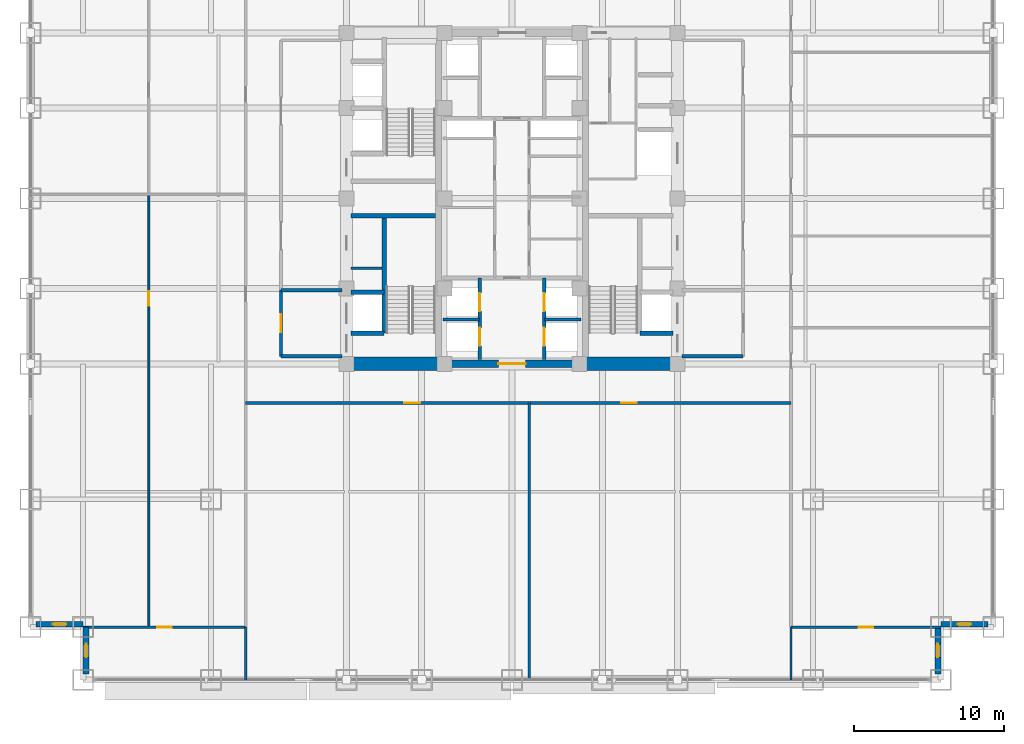
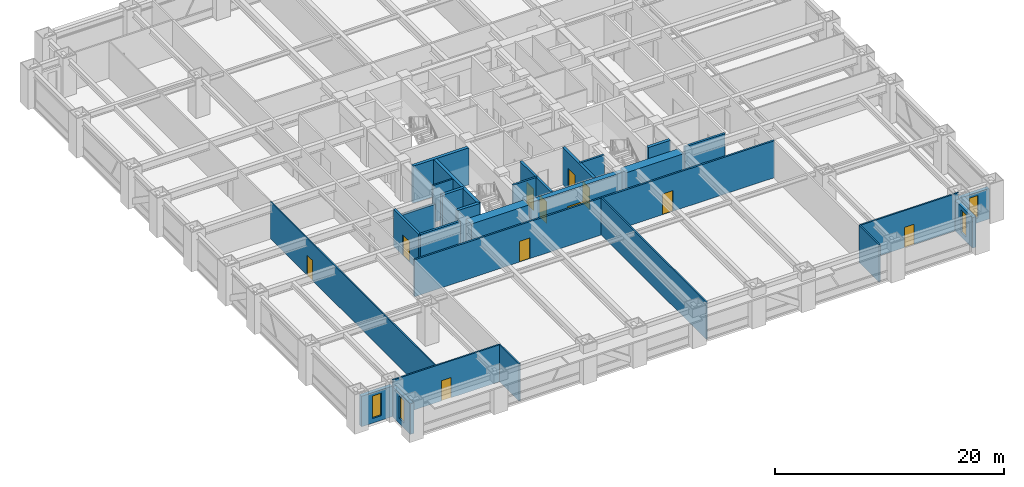
# One storey, part 23 of 32: 28 walls, 11 doors, 4 windows, 15 openings.
"""IFC4 building model written with IfcOpenShell, lengths in metres."""

from ifc_helpers import new_model, si_unit, direction, frame, frame_2d, origin, place, context, subcontext, project, spatial, rectangle, extrude, source, transform, mapped, material, layer, layer_set, type_object, element, fill, save


model = new_model("IFC4")

# Units and contexts
model_context = context("Model", 3, precision=1e-05, world=origin(), true_north=direction((0.0, 1.0)))
body_context = subcontext(model_context, "Body", "Model", "MODEL_VIEW")
ifc_project = project(units=[si_unit("LENGTHUNIT", "METRE"), si_unit("AREAUNIT", "SQUARE_METRE"), si_unit("VOLUMEUNIT", "CUBIC_METRE"), si_unit("PLANEANGLEUNIT", "RADIAN"), si_unit("MASSUNIT", "GRAM", prefix="KILO")], contexts=[model_context])

# Site, building, storey
site_placement = place(None, origin())
site = spatial("IfcSite", under=ifc_project, at=site_placement, CompositionType="ELEMENT")
building_placement = place(site_placement, origin())
building = spatial("IfcBuilding", under=site, at=building_placement, Name="Khorayat Bourse Tower", CompositionType="ELEMENT")
storey_placement = place(building_placement, frame((0.0, 0.0, 70.39990234375)))
storey = spatial("IfcBuildingStorey", under=building, at=storey_placement, Name="L15", CompositionType="ELEMENT", Elevation=70.39990234375)

# Walls
ifc_material_1 = material(Name="Concrete C72/90", Category="concrete")
ifc_layer_1 = layer(ifc_material_1, 0.89990234375)
ifc_layer_set_1 = layer_set([ifc_layer_1], Name="Concrete C72/90")
wall_type_1 = type_object("IfcWallType", Name="WAL-CORE-900", PredefinedType="SHEAR", material=ifc_layer_set_1)
shared_shape_1 = source(origin(), body_context, "Body", "SweptSolid", [
    extrude(rectangle(XDim=5.849853515625, YDim=0.89990234375, at=frame_2d((2.9248046875, 0.0))), origin(), (0.0, 0.0, 1.0), 3.940185546875),
])
for number, where, z_axis, x_axis, name in (
    (1, (-10.699951171875, -11.0, 0.0), (0.0, 0.0, 1.0), (1.0, 0.0, 0.0), "L15 Core Shear Wall PIER-WS"),
    (2, (4.85009765625, -11.0, 0.0), (0.0, 0.0, 1.0), (1.0, 0.0, 0.0), "L15 Core Shear Wall PIER-ES"),
):
    element("IfcWall", number, at=place(storey_placement, frame(where, z_axis=z_axis, x_axis=x_axis)), inside=storey, type_object=wall_type_1, Name=name, PredefinedType="SHEAR", context=body_context, shape_type="MappedRepresentation", body=[
        mapped(shared_shape_1, transform((0.0, 0.0, 0.0), scale=1.0)),
    ])
ifc_material_2 = material(Name="Concrete C50/60", Category="concrete")
ifc_layer_2 = layer(ifc_material_2, 0.300048828125)
ifc_layer_set_2 = layer_set([ifc_layer_2], Name="Concrete C50/60")
wall_type_2 = type_object("IfcWallType", Name="WAL-SHAFT-300", PredefinedType="SHEAR", material=ifc_layer_set_2)
shared_shape_2 = source(origin(), body_context, "Body", "SweptSolid", [
    extrude(rectangle(XDim=5.599853515625, YDim=0.300048828125, at=frame_2d((2.7998046875, 0.0))), origin(), (0.0, 0.0, 1.0), 3.940185546875),
])
wall_1_placement = place(storey_placement, frame((-10.699951171875, -1.14990234375, 0.0), z_axis=(0.0, 0.0, 1.0), x_axis=(1.0, 0.0, 0.0)))
element("IfcWall", 3, at=wall_1_placement, inside=storey, type_object=wall_type_2, Name="L15 Core Shear Wall ST1-DIV", PredefinedType="SHEAR", context=body_context, shape_type="MappedRepresentation", body=[
    mapped(shared_shape_2, transform((0.0, 0.0, 0.0), scale=1.0)),
])

# Wall, opening, door
ifc_material_3 = material(Name="Concrete C52/65", Category="concrete")
ifc_layer_3 = layer(ifc_material_3, 0.5)
ifc_layer_set_3 = layer_set([ifc_layer_3], Name="Concrete C52/65")
wall_type_3 = type_object("IfcWallType", Name="WAL-CORE-500", PredefinedType="SHEAR", material=ifc_layer_set_3)
shared_shape_3 = source(origin(), body_context, "Body", "SweptSolid", [
    extrude(rectangle(XDim=9.2001953125, YDim=0.5, at=frame_2d((4.60009765625, 0.0))), origin(), (0.0, 0.0, 1.0), 3.940185546875),
])
wall_2_placement = place(storey_placement, frame((-4.60009765625, -11.0, 0.0), z_axis=(0.0, 0.0, 1.0), x_axis=(1.0, 0.0, 0.0)))
wall_2 = element("IfcWall", 4, at=wall_2_placement, inside=storey, type_object=wall_type_3, Name="L15 Core Shear Wall CORE-S", PredefinedType="SHEAR", context=body_context, shape_type="MappedRepresentation", body=[
    mapped(shared_shape_3, transform((0.0, 0.0, 0.0), scale=1.0)),
])
shared_shape_4 = source(origin(), body_context, "Body", "SweptSolid", [
    extrude(rectangle(XDim=1.800048828125, YDim=2.25, at=frame_2d((0.89990234375, 1.125))), frame((0.0, 0.260009765625, 0.0), z_axis=(0.0, -1.0, 0.0), x_axis=(1.0, 0.0, 0.0)), (0.0, 0.0, 1.0), 0.52001953125),
])
opening_1_placement = place(wall_2_placement, frame((3.699951171875, 0.0, 0.0)))
opening_1 = element("IfcOpeningElement", 5, at=opening_1_placement, cuts=wall_2, Name="Opening DI-03", PredefinedType="OPENING", context=body_context, shape_type="MappedRepresentation", body=[
    mapped(shared_shape_4, transform((0.0, 0.0, 0.0), scale=1.0)),
])
ifc_material_4 = material(Name="Fire-rated hardwood vision-panel double leaf", Category="wood")
door_type_1 = type_object("IfcDoorType", Name="DR-INT-CORR-1800", OperationType="NOTDEFINED", PredefinedType="DOOR", material=ifc_material_4)
shared_shape_5 = source(origin(), body_context, "Body", "SweptSolid", [
    extrude(rectangle(XDim=1.800048828125, YDim=2.25, at=frame_2d((0.89990234375, 1.125))), frame((0.0, 0.02490234375, 0.0), z_axis=(0.0, -1.0, 0.0), x_axis=(1.0, 0.0, 0.0)), (0.0, 0.0, 1.0), 0.050048828125),
])
door_1_placement = place(opening_1_placement, origin())
door_1 = element("IfcDoor", 6, at=door_1_placement, inside=storey, type_object=door_type_1, Name="L15 Low-Rise Lift Lobby Door", OperationType="SINGLE_SWING_LEFT", OverallHeight=2.25, OverallWidth=1.800048828125, PredefinedType="DOOR", context=body_context, shape_type="MappedRepresentation", body=[
    mapped(shared_shape_5, transform((0.0, 0.0, 0.0), scale=1.0)),
])
fill(opening_1, door_1)

# Wall, opening, window
ifc_material_5 = material(Name="Precast concrete C45/55", Category="concrete")
ifc_layer_4 = layer(ifc_material_5, 0.3798828125)
ifc_layer_set_4 = layer_set([ifc_layer_4], Name="Precast concrete C45/55")
wall_type_4 = type_object("IfcWallType", Name="WAL-EXT-STONE-380", PredefinedType="STANDARD", material=ifc_layer_set_4)
shared_shape_6 = source(origin(), body_context, "Body", "SweptSolid", [
    extrude(rectangle(XDim=3.1201171875, YDim=0.3798828125, at=frame_2d((1.56005859375, 0.0))), origin(), (0.0, 0.0, 1.0), 3.2451171875),
])
wall_3_placement = place(storey_placement, frame((-28.5, -28.31005859375, 0.0), z_axis=(0.0, 0.0, 1.0), x_axis=(-1.0, 0.0, 0.0)))
wall_3 = element("IfcWall", 7, at=wall_3_placement, inside=storey, type_object=wall_type_4, Name="L15 Re-Entrant Notch Limestone Wall SW-H", PredefinedType="STANDARD", context=body_context, shape_type="MappedRepresentation", body=[
    mapped(shared_shape_6, transform((0.0, 0.0, 0.0), scale=1.0)),
])
shared_shape_7 = source(origin(), body_context, "Body", "SweptSolid", [
    extrude(rectangle(XDim=0.89990234375, YDim=2.39990234375, at=frame_2d((0.449951171875, 1.199951171875))), frame((0.0, 0.199951171875, 0.0), z_axis=(0.0, -1.0, 0.0), x_axis=(1.0, 0.0, 0.0)), (0.0, 0.0, 1.0), 0.39990234375),
])
opening_2_placement = place(wall_3_placement, frame((1.110107421875, 0.0, 0.5)))
opening_2 = element("IfcOpeningElement", 8, at=opening_2_placement, cuts=wall_3, Name="Opening WN-03", PredefinedType="OPENING", context=body_context, shape_type="MappedRepresentation", body=[
    mapped(shared_shape_7, transform((0.0, 0.0, 0.0), scale=1.0)),
])
ifc_material_6 = material(Name="Deep-reveal solar-control double glazing", Category="glass")
window_type = type_object("IfcWindowType", Name="WIN-SLOT-900x2400", PartitioningType="SINGLE_PANEL", PredefinedType="WINDOW", material=ifc_material_6)
shared_shape_8 = source(origin(), body_context, "Body", "SweptSolid", [
    extrude(rectangle(XDim=0.89990234375, YDim=2.39990234375, at=frame_2d((0.449951171875, 1.199951171875))), frame((0.0, 0.030029296875, 0.0), z_axis=(0.0, -1.0, 0.0), x_axis=(1.0, 0.0, 0.0)), (0.0, 0.0, 1.0), 0.06005859375),
])
window_1_placement = place(opening_2_placement, origin())
window_1 = element("IfcWindow", 9, at=window_1_placement, inside=storey, type_object=window_type, Name="L15 Facade Window 1", OverallHeight=2.39990234375, OverallWidth=0.89990234375, PartitioningType="SINGLE_PANEL", PredefinedType="WINDOW", context=body_context, shape_type="MappedRepresentation", body=[
    mapped(shared_shape_8, transform((0.0, 0.0, 0.0), scale=1.0)),
])
fill(opening_2, window_1)

wall_4_placement = place(storey_placement, frame((-28.31005859375, -31.6201171875, 0.0), z_axis=(0.0, 0.0, 1.0), x_axis=(0.0, 1.0, 0.0)))
wall_4 = element("IfcWall", 10, at=wall_4_placement, inside=storey, type_object=wall_type_4, Name="L15 Re-Entrant Notch Limestone Wall SW-V", PredefinedType="STANDARD", context=body_context, shape_type="MappedRepresentation", body=[
    mapped(shared_shape_6, transform((0.0, 0.0, 0.0), scale=1.0)),
])
opening_3_placement = place(wall_4_placement, frame((1.110107421875, 0.0, 0.5)))
opening_3 = element("IfcOpeningElement", 11, at=opening_3_placement, cuts=wall_4, Name="Opening WN-03", PredefinedType="OPENING", context=body_context, shape_type="MappedRepresentation", body=[
    mapped(shared_shape_7, transform((0.0, 0.0, 0.0), scale=1.0)),
])
window_2_placement = place(opening_3_placement, origin())
window_2 = element("IfcWindow", 12, at=window_2_placement, inside=storey, type_object=window_type, Name="L15 Facade Window 1", OverallHeight=2.39990234375, OverallWidth=0.89990234375, PartitioningType="SINGLE_PANEL", PredefinedType="WINDOW", context=body_context, shape_type="MappedRepresentation", body=[
    mapped(shared_shape_8, transform((0.0, 0.0, 0.0), scale=1.0)),
])
fill(opening_3, window_2)

wall_5_placement = place(storey_placement, frame((28.31005859375, -31.6201171875, 0.0), z_axis=(0.0, 0.0, 1.0), x_axis=(0.0, 1.0, 0.0)))
wall_5 = element("IfcWall", 13, at=wall_5_placement, inside=storey, type_object=wall_type_4, Name="L15 Re-Entrant Notch Limestone Wall SE-V", PredefinedType="STANDARD", context=body_context, shape_type="MappedRepresentation", body=[
    mapped(shared_shape_6, transform((0.0, 0.0, 0.0), scale=1.0)),
])
opening_4_placement = place(wall_5_placement, frame((1.110107421875, 0.0, 0.5)))
opening_4 = element("IfcOpeningElement", 14, at=opening_4_placement, cuts=wall_5, Name="Opening WN-03", PredefinedType="OPENING", context=body_context, shape_type="MappedRepresentation", body=[
    mapped(shared_shape_7, transform((0.0, 0.0, 0.0), scale=1.0)),
])
window_3_placement = place(opening_4_placement, origin())
window_3 = element("IfcWindow", 15, at=window_3_placement, inside=storey, type_object=window_type, Name="L15 Facade Window 1", OverallHeight=2.39990234375, OverallWidth=0.89990234375, PartitioningType="SINGLE_PANEL", PredefinedType="WINDOW", context=body_context, shape_type="MappedRepresentation", body=[
    mapped(shared_shape_8, transform((0.0, 0.0, 0.0), scale=1.0)),
])
fill(opening_4, window_3)

wall_6_placement = place(storey_placement, frame((28.5, -28.31005859375, 0.0), z_axis=(0.0, 0.0, 1.0), x_axis=(1.0, 0.0, 0.0)))
wall_6 = element("IfcWall", 16, at=wall_6_placement, inside=storey, type_object=wall_type_4, Name="L15 Re-Entrant Notch Limestone Wall SE-H", PredefinedType="STANDARD", context=body_context, shape_type="MappedRepresentation", body=[
    mapped(shared_shape_6, transform((0.0, 0.0, 0.0), scale=1.0)),
])
opening_5_placement = place(wall_6_placement, frame((1.110107421875, 0.0, 0.5)))
opening_5 = element("IfcOpeningElement", 17, at=opening_5_placement, cuts=wall_6, Name="Opening WN-03", PredefinedType="OPENING", context=body_context, shape_type="MappedRepresentation", body=[
    mapped(shared_shape_7, transform((0.0, 0.0, 0.0), scale=1.0)),
])
window_4_placement = place(opening_5_placement, origin())
window_4 = element("IfcWindow", 18, at=window_4_placement, inside=storey, type_object=window_type, Name="L15 Facade Window 1", OverallHeight=2.39990234375, OverallWidth=0.89990234375, PartitioningType="SINGLE_PANEL", PredefinedType="WINDOW", context=body_context, shape_type="MappedRepresentation", body=[
    mapped(shared_shape_8, transform((0.0, 0.0, 0.0), scale=1.0)),
])
fill(opening_5, window_4)

# Walls
shared_shape_9 = source(origin(), body_context, "Body", "SweptSolid", [
    extrude(rectangle(XDim=7.800048828125, YDim=0.300048828125, at=frame_2d((3.89990234375, 0.0))), origin(), (0.0, 0.0, 1.0), 3.940185546875),
])
wall_7_placement = place(storey_placement, frame((-8.5, -8.949951171875, 0.0), z_axis=(0.0, 0.0, 1.0), x_axis=(0.0, 1.0, 0.0)))
element("IfcWall", 19, at=wall_7_placement, inside=storey, type_object=wall_type_2, Name="L15 Partition WAL-L15-WPIER-SP", PredefinedType="SHEAR", context=body_context, shape_type="MappedRepresentation", body=[
    mapped(shared_shape_9, transform((0.0, 0.0, 0.0), scale=1.0)),
])
shared_shape_10 = source(origin(), body_context, "Body", "SweptSolid", [
    extrude(rectangle(XDim=2.199951171875, YDim=0.300048828125, at=frame_2d((1.10009765625, 0.0))), origin(), (0.0, 0.0, 1.0), 3.940185546875),
])
for number, where, z_axis, x_axis, name in (
    (20, (-10.699951171875, -8.949951171875, 0.0), (0.0, 0.0, 1.0), (1.0, 0.0, 0.0), "L15 Partition WAL-L15-WPIER-FF1S"),
    (21, (-10.699951171875, -6.25, 0.0), (0.0, 0.0, 1.0), (1.0, 0.0, 0.0), "L15 Partition WAL-L15-WPIER-FF1N"),
    (22, (8.5, -8.949951171875, 0.0), (0.0, 0.0, 1.0), (1.0, 0.0, 0.0), "L15 Partition WAL-L15-EPIER-FF2S"),
):
    element("IfcWall", number, at=place(storey_placement, frame(where, z_axis=z_axis, x_axis=x_axis)), inside=storey, type_object=wall_type_2, Name=name, PredefinedType="SHEAR", context=body_context, shape_type="MappedRepresentation", body=[
        mapped(shared_shape_10, transform((0.0, 0.0, 0.0), scale=1.0)),
    ])
ifc_material_7 = material(Name="Gypsum plasterboard twin-frame partition")
ifc_layer_5 = layer(ifc_material_7, 0.14990234375)
ifc_layer_set_5 = layer_set([ifc_layer_5], Name="Gypsum plasterboard twin-frame partition")
wall_type_5 = type_object("IfcWallType", Name="WAL-PART-SUITE-150", PredefinedType="PARTITIONING", material=ifc_layer_set_5)
shared_shape_11 = source(origin(), body_context, "Body", "SweptSolid", [
    extrude(rectangle(XDim=2.050048828125, YDim=0.14990234375, at=frame_2d((1.02490234375, 0.0))), origin(), (0.0, 0.0, 1.0), 3.940185546875),
])
wall_8_placement = place(storey_placement, frame((-10.699951171875, -4.64990234375, 0.0), z_axis=(0.0, 0.0, 1.0), x_axis=(1.0, 0.0, 0.0)))
element("IfcWall", 23, at=wall_8_placement, inside=storey, type_object=wall_type_5, Name="L15 Partition WAL-L15-WSRV-S0", PredefinedType="PARTITIONING", context=body_context, shape_type="MappedRepresentation", body=[
    mapped(shared_shape_11, transform((0.0, 0.0, 0.0), scale=1.0)),
])
ifc_material_8 = material(Name="Aerated concrete blockwork", Category="masonry")
ifc_layer_6 = layer(ifc_material_8, 0.219970703125)
ifc_layer_set_6 = layer_set([ifc_layer_6], Name="Aerated concrete blockwork")
wall_type_6 = type_object("IfcWallType", Name="WAL-PART-FF-220", PredefinedType="PARTITIONING", material=ifc_layer_set_6)
shared_shape_12 = source(origin(), body_context, "Body", "SweptSolid", [
    extrude(rectangle(XDim=4.050048828125, YDim=0.219970703125, at=frame_2d((2.02490234375, 0.0))), origin(), (0.0, 0.0, 1.0), 3.940185546875),
])
for number, where, z_axis, x_axis, name in (
    (24, (-15.35009765625, -10.5, 0.0), (0.0, 0.0, 1.0), (1.0, 0.0, 0.0), "L15 Partition WAL-L15-FFLW-S"),
    (25, (11.300048828125, -10.5, 0.0), (0.0, 0.0, 1.0), (1.0, 0.0, 0.0), "L15 Partition WAL-L15-FFLE-S"),
):
    element("IfcWall", number, at=place(storey_placement, frame(where, z_axis=z_axis, x_axis=x_axis)), inside=storey, type_object=wall_type_6, Name=name, PredefinedType="PARTITIONING", context=body_context, shape_type="MappedRepresentation", body=[
        mapped(shared_shape_12, transform((0.0, 0.0, 0.0), scale=1.0)),
    ])
shared_shape_13 = source(origin(), body_context, "Body", "SweptSolid", [
    extrude(rectangle(XDim=4.050048828125, YDim=0.219970703125, at=frame_2d((2.02490234375, 0.0))), origin(), (0.0, 0.0, 1.0), 3.085205078125),
])
wall_9_placement = place(storey_placement, frame((-15.35009765625, -6.10009765625, 0.0), z_axis=(0.0, 0.0, 1.0), x_axis=(1.0, 0.0, 0.0)))
element("IfcWall", 26, at=wall_9_placement, inside=storey, type_object=wall_type_6, Name="L15 Partition WAL-L15-FFLW-N", PredefinedType="PARTITIONING", context=body_context, shape_type="MappedRepresentation", body=[
    mapped(shared_shape_13, transform((0.0, 0.0, 0.0), scale=1.0)),
])

# Wall, opening, door
shared_shape_14 = source(origin(), body_context, "Body", "SweptSolid", [
    extrude(rectangle(XDim=4.39990234375, YDim=0.219970703125, at=frame_2d((2.199951171875, 0.0))), origin(), (0.0, 0.0, 1.0), 3.940185546875),
])
wall_10_placement = place(storey_placement, frame((-15.35009765625, -10.5, 0.0), z_axis=(0.0, 0.0, 1.0), x_axis=(0.0, 1.0, 0.0)))
wall_10 = element("IfcWall", 27, at=wall_10_placement, inside=storey, type_object=wall_type_6, Name="L15 Partition WAL-L15-FFLW-W", PredefinedType="PARTITIONING", context=body_context, shape_type="MappedRepresentation", body=[
    mapped(shared_shape_14, transform((0.0, 0.0, 0.0), scale=1.0)),
])
shared_shape_15 = source(origin(), body_context, "Body", "SweptSolid", [
    extrude(rectangle(XDim=1.199951171875, YDim=2.199951171875, at=frame_2d((0.60009765625, 1.10009765625))), frame((0.0, 0.119873046875, 0.0), z_axis=(0.0, -1.0, 0.0), x_axis=(1.0, 0.0, 0.0)), (0.0, 0.0, 1.0), 0.239990234375),
])
opening_6_placement = place(wall_10_placement, frame((1.60009765625, 0.0, 0.0)))
opening_6 = element("IfcOpeningElement", 28, at=opening_6_placement, cuts=wall_10, Name="Opening DI-02", PredefinedType="OPENING", context=body_context, shape_type="MappedRepresentation", body=[
    mapped(shared_shape_15, transform((0.0, 0.0, 0.0), scale=1.0)),
])
ifc_material_9 = material(Name="Fire-rated steel double-seal leaf", Category="steel")
door_type_2 = type_object("IfcDoorType", Name="DR-INT-FFLOBBY-1200", OperationType="NOTDEFINED", PredefinedType="DOOR", material=ifc_material_9)
shared_shape_16 = source(origin(), body_context, "Body", "SweptSolid", [
    extrude(rectangle(XDim=1.199951171875, YDim=2.199951171875, at=frame_2d((0.60009765625, 1.10009765625))), frame((0.0, 0.02490234375, 0.0), z_axis=(0.0, -1.0, 0.0), x_axis=(1.0, 0.0, 0.0)), (0.0, 0.0, 1.0), 0.050048828125),
])
door_2_placement = place(opening_6_placement, origin())
door_2 = element("IfcDoor", 29, at=door_2_placement, inside=storey, type_object=door_type_2, Name="L15 West Firefighting Lobby Door", OperationType="SINGLE_SWING_LEFT", OverallHeight=2.199951171875, OverallWidth=1.199951171875, PredefinedType="DOOR", context=body_context, shape_type="MappedRepresentation", body=[
    mapped(shared_shape_16, transform((0.0, 0.0, 0.0), scale=1.0)),
])
fill(opening_6, door_2)

# Wall, openings, doors
shared_shape_17 = source(origin(), body_context, "Body", "SweptSolid", [
    extrude(rectangle(XDim=5.39990234375, YDim=0.25, at=frame_2d((2.699951171875, 0.0))), origin(), (0.0, 0.0, 1.0), 3.940185546875),
])
wall_11_placement = place(storey_placement, frame((-2.14990234375, -10.699951171875, 0.0), z_axis=(0.0, 0.0, 1.0), x_axis=(0.0, 1.0, 0.0)))
wall_11 = element("IfcWall", 30, at=wall_11_placement, inside=storey, type_object=wall_type_2, Name="L15 Partition WAL-L15-B1-W", PredefinedType="SHEAR", context=body_context, shape_type="MappedRepresentation", body=[
    mapped(shared_shape_17, transform((0.0, 0.0, 0.0), scale=1.0)),
])
shared_shape_18 = source(origin(), body_context, "Body", "SweptSolid", [
    extrude(rectangle(XDim=1.199951171875, YDim=2.300048828125, at=frame_2d((0.60009765625, 1.14990234375))), frame((0.0, 0.135009765625, 0.0), z_axis=(0.0, -1.0, 0.0), x_axis=(1.0, 0.0, 0.0)), (0.0, 0.0, 1.0), 0.27001953125),
])
opening_7_placement = place(wall_11_placement, frame((0.89990234375, 0.0, 0.0)))
opening_7 = element("IfcOpeningElement", 31, at=opening_7_placement, cuts=wall_11, Name="Opening LD-01", PredefinedType="OPENING", context=body_context, shape_type="MappedRepresentation", body=[
    mapped(shared_shape_18, transform((0.0, 0.0, 0.0), scale=1.0)),
])
opening_8_placement = place(wall_11_placement, frame((3.199951171875, 0.0, 0.0)))
opening_8 = element("IfcOpeningElement", 32, at=opening_8_placement, cuts=wall_11, Name="Opening LD-01", PredefinedType="OPENING", context=body_context, shape_type="MappedRepresentation", body=[
    mapped(shared_shape_18, transform((0.0, 0.0, 0.0), scale=1.0)),
])
ifc_material_10 = material(Name="Brushed bronze stainless-steel sliding door", Category="steel")
door_type_3 = type_object("IfcDoorType", Name="DR-LIFT-PASS-1200", OperationType="NOTDEFINED", PredefinedType="DOOR", material=ifc_material_10)
shared_shape_19 = source(origin(), body_context, "Body", "SweptSolid", [
    extrude(rectangle(XDim=1.199951171875, YDim=2.300048828125, at=frame_2d((0.60009765625, 1.14990234375))), frame((0.0, 0.02490234375, 0.0), z_axis=(0.0, -1.0, 0.0), x_axis=(1.0, 0.0, 0.0)), (0.0, 0.0, 1.0), 0.050048828125),
])
door_3_placement = place(opening_7_placement, origin())
door_3 = element("IfcDoor", 33, at=door_3_placement, inside=storey, type_object=door_type_3, Name="L15 Lift PL-L1 Sliding Landing Door", OperationType="SLIDING_TO_LEFT", OverallHeight=2.300048828125, OverallWidth=1.199951171875, PredefinedType="DOOR", context=body_context, shape_type="MappedRepresentation", body=[
    mapped(shared_shape_19, transform((0.0, 0.0, 0.0), scale=1.0)),
])
fill(opening_7, door_3)
door_4_placement = place(opening_8_placement, origin())
door_4 = element("IfcDoor", 34, at=door_4_placement, inside=storey, type_object=door_type_3, Name="L15 Lift PL-L3 Sliding Landing Door", OperationType="SLIDING_TO_LEFT", OverallHeight=2.300048828125, OverallWidth=1.199951171875, PredefinedType="DOOR", context=body_context, shape_type="MappedRepresentation", body=[
    mapped(shared_shape_19, transform((0.0, 0.0, 0.0), scale=1.0)),
])
fill(opening_8, door_4)

wall_12_placement = place(storey_placement, frame((2.14990234375, -10.699951171875, 0.0), z_axis=(0.0, 0.0, 1.0), x_axis=(0.0, 1.0, 0.0)))
wall_12 = element("IfcWall", 35, at=wall_12_placement, inside=storey, type_object=wall_type_2, Name="L15 Partition WAL-L15-B1-E", PredefinedType="SHEAR", context=body_context, shape_type="MappedRepresentation", body=[
    mapped(shared_shape_17, transform((0.0, 0.0, 0.0), scale=1.0)),
])
opening_9_placement = place(wall_12_placement, frame((0.89990234375, 0.0, 0.0)))
opening_9 = element("IfcOpeningElement", 36, at=opening_9_placement, cuts=wall_12, Name="Opening LD-01", PredefinedType="OPENING", context=body_context, shape_type="MappedRepresentation", body=[
    mapped(shared_shape_18, transform((0.0, 0.0, 0.0), scale=1.0)),
])
opening_10_placement = place(wall_12_placement, frame((3.199951171875, 0.0, 0.0)))
opening_10 = element("IfcOpeningElement", 37, at=opening_10_placement, cuts=wall_12, Name="Opening LD-01", PredefinedType="OPENING", context=body_context, shape_type="MappedRepresentation", body=[
    mapped(shared_shape_18, transform((0.0, 0.0, 0.0), scale=1.0)),
])
door_5_placement = place(opening_9_placement, origin())
door_5 = element("IfcDoor", 38, at=door_5_placement, inside=storey, type_object=door_type_3, Name="L15 Lift PL-L2 Sliding Landing Door", OperationType="SLIDING_TO_LEFT", OverallHeight=2.300048828125, OverallWidth=1.199951171875, PredefinedType="DOOR", context=body_context, shape_type="MappedRepresentation", body=[
    mapped(shared_shape_19, transform((0.0, 0.0, 0.0), scale=1.0)),
])
fill(opening_9, door_5)
door_6_placement = place(opening_10_placement, origin())
door_6 = element("IfcDoor", 39, at=door_6_placement, inside=storey, type_object=door_type_3, Name="L15 Lift PL-L4 Sliding Landing Door", OperationType="SLIDING_TO_LEFT", OverallHeight=2.300048828125, OverallWidth=1.199951171875, PredefinedType="DOOR", context=body_context, shape_type="MappedRepresentation", body=[
    mapped(shared_shape_19, transform((0.0, 0.0, 0.0), scale=1.0)),
])
fill(opening_10, door_6)

# Walls
shared_shape_20 = source(origin(), body_context, "Body", "SweptSolid", [
    extrude(rectangle(XDim=2.4501953125, YDim=0.199951171875, at=frame_2d((1.22509765625, 0.0))), origin(), (0.0, 0.0, 1.0), 3.940185546875),
])
for number, where, z_axis, x_axis, name in (
    (40, (-4.60009765625, -8.050048828125, 0.0), (0.0, 0.0, 1.0), (1.0, 0.0, 0.0), "L15 Partition WAL-L15-B1-MW"),
    (41, (2.14990234375, -8.050048828125, 0.0), (0.0, 0.0, 1.0), (1.0, 0.0, 0.0), "L15 Partition WAL-L15-B1-ME"),
):
    element("IfcWall", number, at=place(storey_placement, frame(where, z_axis=z_axis, x_axis=x_axis)), inside=storey, type_object=wall_type_2, Name=name, PredefinedType="SHEAR", context=body_context, shape_type="MappedRepresentation", body=[
        mapped(shared_shape_20, transform((0.0, 0.0, 0.0), scale=1.0)),
    ])
shared_shape_21 = source(origin(), body_context, "Body", "SweptSolid", [
    extrude(rectangle(XDim=3.5, YDim=0.14990234375, at=frame_2d((1.75, 0.0))), origin(), (0.0, 0.0, 1.0), 3.940185546875),
])
for number, where, z_axis, x_axis, name in (
    (42, (-17.699951171875, -32.0, 0.0), (0.0, 0.0, 1.0), (0.0, 1.0, 0.0), "L15 Partition WAL-L15-SCW-END"),
    (43, (18.550048828125, -32.0, 0.0), (0.0, 0.0, 1.0), (0.0, 1.0, 0.0), "L15 Partition WAL-L15-SCE-END"),
):
    element("IfcWall", number, at=place(storey_placement, frame(where, z_axis=z_axis, x_axis=x_axis)), inside=storey, type_object=wall_type_5, Name=name, PredefinedType="PARTITIONING", context=body_context, shape_type="MappedRepresentation", body=[
        mapped(shared_shape_21, transform((0.0, 0.0, 0.0), scale=1.0)),
    ])

# Wall, opening, door
shared_shape_22 = source(origin(), body_context, "Body", "SweptSolid", [
    extrude(rectangle(XDim=9.949951171875, YDim=0.14990234375, at=frame_2d((4.97509765625, 0.0))), origin(), (0.0, 0.0, 1.0), 3.940185546875),
])
wall_13_placement = place(storey_placement, frame((18.550048828125, -28.5, 0.0), z_axis=(0.0, 0.0, 1.0), x_axis=(1.0, 0.0, 0.0)))
wall_13 = element("IfcWall", 44, at=wall_13_placement, inside=storey, type_object=wall_type_5, Name="L15 Partition WAL-L15-CSE", PredefinedType="PARTITIONING", context=body_context, shape_type="MappedRepresentation", body=[
    mapped(shared_shape_22, transform((0.0, 0.0, 0.0), scale=1.0)),
])
shared_shape_23 = source(origin(), body_context, "Body", "SweptSolid", [
    extrude(rectangle(XDim=0.949951171875, YDim=2.14990234375, at=frame_2d((0.47509765625, 1.074951171875))), frame((0.0, 0.0849609375, 0.0), z_axis=(0.0, -1.0, 0.0), x_axis=(1.0, 0.0, 0.0)), (0.0, 0.0, 1.0), 0.169921875),
])
opening_11_placement = place(wall_13_placement, frame((4.5, 0.0, 0.0)))
opening_11 = element("IfcOpeningElement", 45, at=opening_11_placement, cuts=wall_13, Name="Opening DI-05", PredefinedType="OPENING", context=body_context, shape_type="MappedRepresentation", body=[
    mapped(shared_shape_23, transform((0.0, 0.0, 0.0), scale=1.0)),
])
ifc_material_11 = material(Name="Acoustic oak veneer office door")
door_type_4 = type_object("IfcDoorType", Name="DR-INT-OFFICE-950", OperationType="NOTDEFINED", PredefinedType="DOOR", material=ifc_material_11)
shared_shape_24 = source(origin(), body_context, "Body", "SweptSolid", [
    extrude(rectangle(XDim=0.949951171875, YDim=2.14990234375, at=frame_2d((0.47509765625, 1.074951171875))), frame((0.0, 0.02490234375, 0.0), z_axis=(0.0, -1.0, 0.0), x_axis=(1.0, 0.0, 0.0)), (0.0, 0.0, 1.0), 0.050048828125),
])
door_7_placement = place(opening_11_placement, origin())
door_7 = element("IfcDoor", 46, at=door_7_placement, inside=storey, type_object=door_type_4, Name="L15 South-East Corner Briefing Room Door", OperationType="SINGLE_SWING_LEFT", OverallHeight=2.14990234375, OverallWidth=0.949951171875, PredefinedType="DOOR", context=body_context, shape_type="MappedRepresentation", body=[
    mapped(shared_shape_24, transform((0.0, 0.0, 0.0), scale=1.0)),
])
fill(opening_11, door_7)

# Wall
shared_shape_25 = source(origin(), body_context, "Body", "SweptSolid", [
    extrude(rectangle(XDim=18.39990234375, YDim=0.14990234375, at=frame_2d((9.199951171875, 0.0))), origin(), (0.0, 0.0, 1.0), 3.940185546875),
])
wall_14_placement = place(storey_placement, frame((1.14990234375, -32.0, 0.0), z_axis=(0.0, 0.0, 1.0), x_axis=(0.0, 1.0, 0.0)))
element("IfcWall", 47, at=wall_14_placement, inside=storey, type_object=wall_type_5, Name="L15 Partition WAL-L15-SDV-1", PredefinedType="PARTITIONING", context=body_context, shape_type="MappedRepresentation", body=[
    mapped(shared_shape_25, transform((0.0, 0.0, 0.0), scale=1.0)),
])

# Wall, openings, doors
ifc_material_12 = material(Name="Gypsum plasterboard acoustic stud wall")
ifc_layer_7 = layer(ifc_material_12, 0.179931640625)
ifc_layer_set_7 = layer_set([ifc_layer_7], Name="Gypsum plasterboard acoustic stud wall")
wall_type_7 = type_object("IfcWallType", Name="WAL-PART-CORR-180", PredefinedType="PARTITIONING", material=ifc_layer_set_7)
shared_shape_26 = source(origin(), body_context, "Body", "SweptSolid", [
    extrude(rectangle(XDim=36.25, YDim=0.179931640625, at=frame_2d((18.125, 0.0))), origin(), (0.0, 0.0, 1.0), 3.940185546875),
])
wall_15_placement = place(storey_placement, frame((-17.699951171875, -13.60009765625, 0.0), z_axis=(0.0, 0.0, 1.0), x_axis=(1.0, 0.0, 0.0)))
wall_15 = element("IfcWall", 48, at=wall_15_placement, inside=storey, type_object=wall_type_7, Name="L15 Partition WAL-L15-SCORR", PredefinedType="PARTITIONING", context=body_context, shape_type="MappedRepresentation", body=[
    mapped(shared_shape_26, transform((0.0, 0.0, 0.0), scale=1.0)),
])
shared_shape_27 = source(origin(), body_context, "Body", "SweptSolid", [
    extrude(rectangle(XDim=1.050048828125, YDim=2.199951171875, at=frame_2d((0.52490234375, 1.10009765625))), frame((0.0, 0.099853515625, 0.0), z_axis=(0.0, -1.0, 0.0), x_axis=(1.0, 0.0, 0.0)), (0.0, 0.0, 1.0), 0.199951171875),
])
opening_12_placement = place(wall_15_placement, frame((10.550048828125, 0.0, 0.0)))
opening_12 = element("IfcOpeningElement", 49, at=opening_12_placement, cuts=wall_15, Name="Opening DI-04", PredefinedType="OPENING", context=body_context, shape_type="MappedRepresentation", body=[
    mapped(shared_shape_27, transform((0.0, 0.0, 0.0), scale=1.0)),
])
opening_13_placement = place(wall_15_placement, frame((24.949951171875, 0.0, 0.0)))
opening_13 = element("IfcOpeningElement", 50, at=opening_13_placement, cuts=wall_15, Name="Opening DI-04", PredefinedType="OPENING", context=body_context, shape_type="MappedRepresentation", body=[
    mapped(shared_shape_27, transform((0.0, 0.0, 0.0), scale=1.0)),
])
ifc_material_13 = material(Name="Fire-rated oak veneer suite entrance door")
door_type_5 = type_object("IfcDoorType", Name="DR-INT-SUITE-1050", OperationType="NOTDEFINED", PredefinedType="DOOR", material=ifc_material_13)
shared_shape_28 = source(origin(), body_context, "Body", "SweptSolid", [
    extrude(rectangle(XDim=1.050048828125, YDim=2.199951171875, at=frame_2d((0.52490234375, 1.10009765625))), frame((0.0, 0.02490234375, 0.0), z_axis=(0.0, -1.0, 0.0), x_axis=(1.0, 0.0, 0.0)), (0.0, 0.0, 1.0), 0.050048828125),
])
door_8_placement = place(opening_12_placement, origin())
door_8 = element("IfcDoor", 51, at=door_8_placement, inside=storey, type_object=door_type_5, Name="L15 Issuer Listing Showroom S1 Door", OperationType="SINGLE_SWING_RIGHT", OverallHeight=2.199951171875, OverallWidth=1.050048828125, PredefinedType="DOOR", context=body_context, shape_type="MappedRepresentation", body=[
    mapped(shared_shape_28, transform((0.0, 0.0, 0.0), scale=1.0)),
])
fill(opening_12, door_8)
door_9_placement = place(opening_13_placement, origin())
door_9 = element("IfcDoor", 52, at=door_9_placement, inside=storey, type_object=door_type_5, Name="L15 Brokerage Member Kiosk S2 Door", OperationType="SINGLE_SWING_LEFT", OverallHeight=2.199951171875, OverallWidth=1.050048828125, PredefinedType="DOOR", context=body_context, shape_type="MappedRepresentation", body=[
    mapped(shared_shape_28, transform((0.0, 0.0, 0.0), scale=1.0)),
])
fill(opening_13, door_9)

# Wall, opening, door
ifc_material_14 = material(Name="Gypsum plasterboard partition")
ifc_layer_8 = layer(ifc_material_14, 0.125)
ifc_layer_set_8 = layer_set([ifc_layer_8], Name="Gypsum plasterboard partition")
wall_type_8 = type_object("IfcWallType", Name="WAL-PART-ROOM-125", PredefinedType="PARTITIONING", material=ifc_layer_set_8)
shared_shape_29 = source(origin(), body_context, "Body", "SweptSolid", [
    extrude(rectangle(XDim=28.77490234375, YDim=0.125, at=frame_2d((14.387451171875, 0.0))), origin(), (0.0, 0.0, 1.0), 3.940185546875),
])
wall_16_placement = place(storey_placement, frame((-24.135009765625, -28.5, 0.0), z_axis=(0.0, 0.0, 1.0), x_axis=(0.0, 1.0, 0.0)))
wall_16 = element("IfcWall", 53, at=wall_16_placement, inside=storey, type_object=wall_type_8, Name="L15 Partition WAL-L15-WDP-1", PredefinedType="PARTITIONING", context=body_context, shape_type="MappedRepresentation", body=[
    mapped(shared_shape_29, transform((0.0, 0.0, 0.0), scale=1.0)),
])
shared_shape_30 = source(origin(), body_context, "Body", "SweptSolid", [
    extrude(rectangle(XDim=0.949951171875, YDim=2.14990234375, at=frame_2d((0.47509765625, 1.074951171875))), frame((0.0, 0.072509765625, 0.0), z_axis=(0.0, -1.0, 0.0), x_axis=(1.0, 0.0, 0.0)), (0.0, 0.0, 1.0), 0.14501953125),
])
opening_14_placement = place(wall_16_placement, frame((21.362548828125, 0.0, 0.0)))
opening_14 = element("IfcOpeningElement", 54, at=opening_14_placement, cuts=wall_16, Name="Opening DI-05", PredefinedType="OPENING", context=body_context, shape_type="MappedRepresentation", body=[
    mapped(shared_shape_30, transform((0.0, 0.0, 0.0), scale=1.0)),
])
door_10_placement = place(opening_14_placement, origin())
door_10 = element("IfcDoor", 55, at=door_10_placement, inside=storey, type_object=door_type_4, Name="L15 Market Risk Analytics Workspace W1B Door", OperationType="SINGLE_SWING_RIGHT", OverallHeight=2.14990234375, OverallWidth=0.949951171875, PredefinedType="DOOR", context=body_context, shape_type="MappedRepresentation", body=[
    mapped(shared_shape_24, transform((0.0, 0.0, 0.0), scale=1.0)),
])
fill(opening_14, door_10)

shared_shape_31 = source(origin(), body_context, "Body", "SweptSolid", [
    extrude(rectangle(XDim=10.800048828125, YDim=0.14990234375, at=frame_2d((5.39990234375, 0.0))), origin(), (0.0, 0.0, 1.0), 3.940185546875),
])
wall_17_placement = place(storey_placement, frame((-28.5, -28.5, 0.0), z_axis=(0.0, 0.0, 1.0), x_axis=(1.0, 0.0, 0.0)))
wall_17 = element("IfcWall", 56, at=wall_17_placement, inside=storey, type_object=wall_type_5, Name="L15 Partition WAL-L15-CSW", PredefinedType="PARTITIONING", context=body_context, shape_type="MappedRepresentation", body=[
    mapped(shared_shape_31, transform((0.0, 0.0, 0.0), scale=1.0)),
])
opening_15_placement = place(wall_17_placement, frame((4.925048828125, 0.0, 0.0)))
opening_15 = element("IfcOpeningElement", 57, at=opening_15_placement, cuts=wall_17, Name="Opening DI-05", PredefinedType="OPENING", context=body_context, shape_type="MappedRepresentation", body=[
    mapped(shared_shape_23, transform((0.0, 0.0, 0.0), scale=1.0)),
])
door_11_placement = place(opening_15_placement, origin())
door_11 = element("IfcDoor", 58, at=door_11_placement, inside=storey, type_object=door_type_4, Name="L15 South-West Corner Office Door", OperationType="SINGLE_SWING_LEFT", OverallHeight=2.14990234375, OverallWidth=0.949951171875, PredefinedType="DOOR", context=body_context, shape_type="MappedRepresentation", body=[
    mapped(shared_shape_24, transform((0.0, 0.0, 0.0), scale=1.0)),
])
fill(opening_15, door_11)

save(model, "model.ifc")
